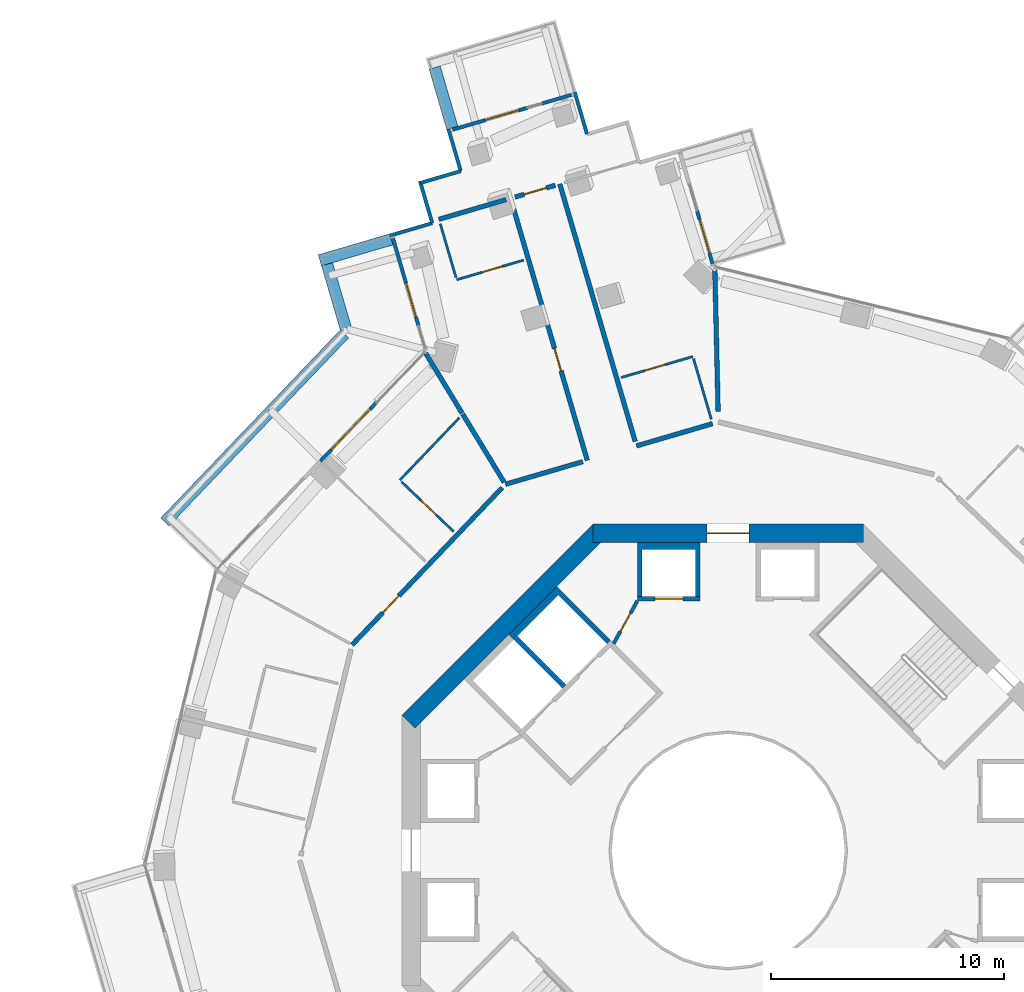
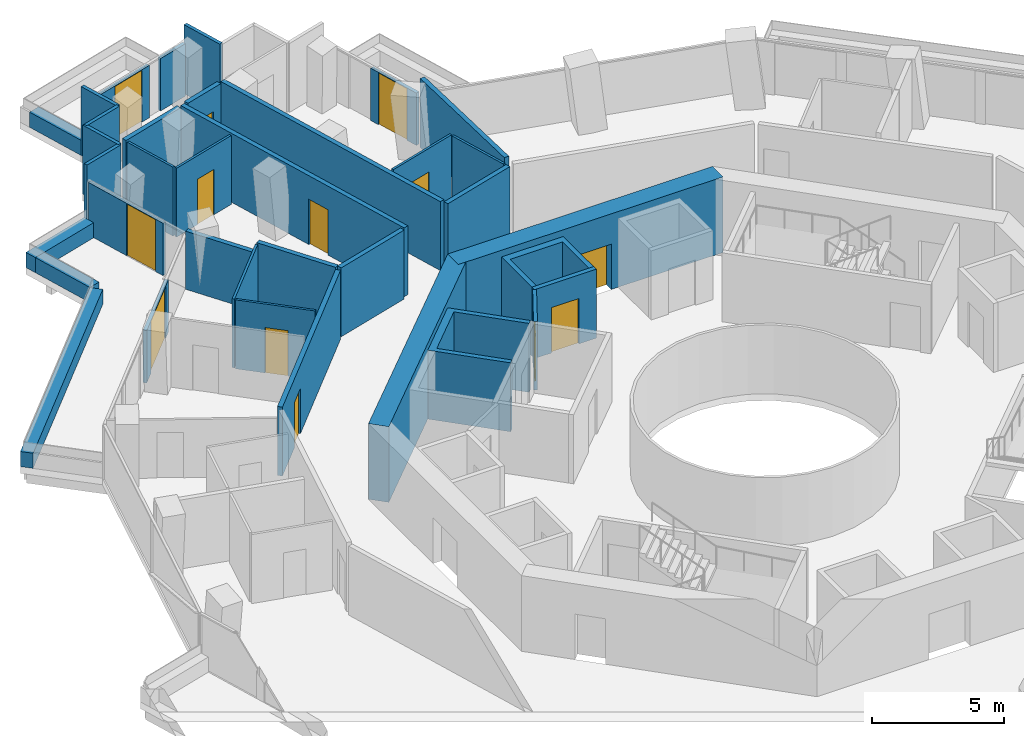
# One storey, part 21 of 25: 36 walls, 13 doors, 13 openings.
"""IFC4 building model written with IfcOpenShell, lengths in metres."""

from ifc_helpers import new_model, si_unit, direction, frame, frame_2d, origin, place, context, subcontext, project, spatial, polyline, rectangle, outline, extrude, material, layer, layer_set, type_object, element, fill, save


model = new_model("IFC4")

# Units and contexts
model_context = context("Model", 3, precision=1e-05, world=origin(), true_north=direction((0.0, 1.0)))
body_context = subcontext(model_context, "Body", "Model", "MODEL_VIEW")
ifc_project = project(units=[si_unit("LENGTHUNIT", "METRE"), si_unit("AREAUNIT", "SQUARE_METRE"), si_unit("VOLUMEUNIT", "CUBIC_METRE"), si_unit("PLANEANGLEUNIT", "RADIAN"), si_unit("MASSUNIT", "GRAM", prefix="KILO")], contexts=[model_context])

# Site, building, storey
site_placement = place(None, origin())
site = spatial("IfcSite", under=ifc_project, at=site_placement, CompositionType="ELEMENT")
building_placement = place(site_placement, origin())
building = spatial("IfcBuilding", under=site, at=building_placement, Name="Verdalira Terraces Hotel", CompositionType="ELEMENT")
storey_placement = place(building_placement, frame((0.0, 0.0, 100.0)))
storey = spatial("IfcBuildingStorey", under=building, at=storey_placement, Name="L23", CompositionType="ELEMENT", Elevation=100.0)

# Walls
ifc_material_1 = material(Name="Concrete C40", Category="concrete")
ifc_layer_1 = layer(ifc_material_1, 0.5)
ifc_layer_set_1 = layer_set([ifc_layer_1], Name="Balcony planter trough with tree")
wall_type_1 = type_object("IfcWallType", Name="Balcony planter trough with tree", PredefinedType="SOLIDWALL", material=ifc_layer_set_1)
wall_1_placement = place(storey_placement, frame((-12.59375, 33.580811, 0.0), z_axis=(0.0, 0.0, 1.0), x_axis=(0.2810349, -0.959697549, 0.0)))
element("IfcWall", 1, at=wall_1_placement, inside=storey, type_object=wall_type_1, Name="Balcony planter", PredefinedType="SOLIDWALL", context=body_context, shape_type="SweptSolid", body=[
    extrude(rectangle(XDim=2.699219, YDim=0.5, at=frame_2d((1.349609, 0.0))), origin(), (0.0, 0.0, 1.0), 0.699951),
])
wall_2_placement = place(storey_placement, frame((-14.448975, 26.212402, 0.0), z_axis=(0.0, 0.0, 1.0), x_axis=(-0.959706288, -0.281005054, 0.0)))
element("IfcWall", 2, at=wall_2_placement, inside=storey, type_object=wall_type_1, Name="Balcony planter", PredefinedType="SOLIDWALL", context=body_context, shape_type="SweptSolid", body=[
    extrude(rectangle(XDim=3.198975, YDim=0.5, at=frame_2d((1.599609, 0.0))), origin(), (0.0, 0.0, 1.0), 0.699951),
])
wall_3_placement = place(storey_placement, frame((-17.208984, 25.143799, 0.0), z_axis=(0.0, 0.0, 1.0), x_axis=(0.281038715, -0.959696432, 0.0)))
element("IfcWall", 3, at=wall_3_placement, inside=storey, type_object=wall_type_1, Name="Balcony planter", PredefinedType="SOLIDWALL", context=body_context, shape_type="SweptSolid", body=[
    extrude(rectangle(XDim=2.860596, YDim=0.5, at=frame_2d((1.430176, 0.0))), origin(), (0.0, 0.0, 1.0), 0.699951),
])
wall_4_placement = place(storey_placement, frame((-16.464111, 22.155518, 0.0), z_axis=(0.0, 0.0, 1.0), x_axis=(-0.690643379, -0.723195495, 0.0)))
element("IfcWall", 4, at=wall_4_placement, inside=storey, type_object=wall_type_1, Name="Balcony planter", PredefinedType="SOLIDWALL", context=body_context, shape_type="SweptSolid", body=[
    extrude(rectangle(XDim=11.152588, YDim=0.5, at=frame_2d((5.576172, 0.0))), origin(), (0.0, 0.0, 1.0), 0.699951),
])

# Wall, opening, door
ifc_material_2 = material(Name="Moisture-resistant gypsum board partition")
ifc_layer_2 = layer(ifc_material_2, 0.10009765625)
ifc_layer_set_2 = layer_set([ifc_layer_2], Name="Bathroom partition 100 mm")
wall_type_2 = type_object("IfcWallType", Name="Bathroom partition 100 mm", PredefinedType="PARTITIONING", material=ifc_layer_set_2)
wall_5_placement = place(storey_placement, frame((-14.015137, 15.815186, 0.0), z_axis=(0.0, 0.0, 1.0), x_axis=(0.723221432, -0.690616218, 0.0)))
wall_5 = element("IfcWall", 5, at=wall_5_placement, inside=storey, type_object=wall_type_2, Name="Bathroom partition", PredefinedType="PARTITIONING", context=body_context, shape_type="SweptSolid", body=[
    extrude(rectangle(XDim=3.099854, YDim=0.100098, at=frame_2d((1.549805, 0.0))), origin(), (0.0, 0.0, 1.0), 3.189941),
])
opening_1_placement = place(wall_5_placement, frame((1.149902, 0.0, 0.0)))
opening_1 = element("IfcOpeningElement", 6, at=opening_1_placement, cuts=wall_5, Name="Opening L23-109", PredefinedType="OPENING", context=body_context, shape_type="SweptSolid", body=[
    extrude(rectangle(XDim=0.899902, YDim=2.100098, at=frame_2d((0.449951, 1.050049))), frame((0.0, 0.060059, 0.0), z_axis=(0.0, -1.0, 0.0), x_axis=(1.0, 0.0, 0.0)), (0.0, 0.0, 1.0), 0.120117),
])
ifc_material_3 = material(Name="Timber door", Category="wood")
door_type_1 = type_object("IfcDoorType", Name="Bathroom door 900 x 2100", OperationType="NOTDEFINED", PredefinedType="DOOR", material=ifc_material_3)
door_1_placement = place(opening_1_placement, origin())
door_1 = element("IfcDoor", 7, at=door_1_placement, inside=storey, type_object=door_type_1, Name="Bathroom door 2303", OperationType="SINGLE_SWING_LEFT", OverallHeight=2.10009765625, OverallWidth=0.89990234375, PredefinedType="DOOR", context=body_context, shape_type="SweptSolid", body=[
    extrude(rectangle(XDim=0.899902, YDim=2.100098, at=frame_2d((0.449951, 1.050049))), frame((0.0, 0.024902, 0.0), z_axis=(0.0, -1.0, 0.0), x_axis=(1.0, 0.0, 0.0)), (0.0, 0.0, 1.0), 0.050049),
])
fill(opening_1, door_1)

# Walls
wall_6_placement = place(storey_placement, frame((-11.529297, 18.562988, 0.0), z_axis=(0.0, 0.0, 1.0), x_axis=(-0.690638766, -0.723199899, 0.0)))
element("IfcWall", 8, at=wall_6_placement, inside=storey, type_object=wall_type_2, Name="Bathroom partition", PredefinedType="PARTITIONING", context=body_context, shape_type="SweptSolid", body=[
    extrude(rectangle(XDim=3.703857, YDim=0.100098, at=frame_2d((1.852051, 0.0))), origin(), (0.0, 0.0, 1.0), 3.189941),
])
wall_7_placement = place(storey_placement, frame((-11.67627, 24.575684, 0.0), z_axis=(0.0, 0.0, 1.0), x_axis=(-0.280976457, 0.959714661, 0.0)))
element("IfcWall", 9, at=wall_7_placement, inside=storey, type_object=wall_type_2, Name="Bathroom partition", PredefinedType="PARTITIONING", context=body_context, shape_type="SweptSolid", body=[
    extrude(rectangle(XDim=2.399902, YDim=0.100098, at=frame_2d((1.199951, 0.0))), origin(), (0.0, 0.0, 1.0), 3.189941),
])

# Wall, opening, door
wall_8_placement = place(storey_placement, frame((-11.648193, 24.479736, 0.0), z_axis=(0.0, 0.0, 1.0), x_axis=(0.959706901, 0.281002962, 0.0)))
wall_8 = element("IfcWall", 10, at=wall_8_placement, inside=storey, type_object=wall_type_2, Name="Bathroom partition", PredefinedType="PARTITIONING", context=body_context, shape_type="SweptSolid", body=[
    extrude(rectangle(XDim=3.0, YDim=0.100098, at=frame_2d((1.5, 0.0))), origin(), (0.0, 0.0, 1.0), 3.189941),
])
opening_2_placement = place(wall_8_placement, frame((1.149902, 0.0, 0.0)))
opening_2 = element("IfcOpeningElement", 11, at=opening_2_placement, cuts=wall_8, Name="Opening L23-105", PredefinedType="OPENING", context=body_context, shape_type="SweptSolid", body=[
    extrude(rectangle(XDim=0.899902, YDim=2.100098, at=frame_2d((0.449951, 1.050049))), frame((0.0, 0.060059, 0.0), z_axis=(0.0, -1.0, 0.0), x_axis=(1.0, 0.0, 0.0)), (0.0, 0.0, 1.0), 0.120117),
])
door_2_placement = place(opening_2_placement, origin())
door_2 = element("IfcDoor", 12, at=door_2_placement, inside=storey, type_object=door_type_1, Name="Bathroom door 2302", OperationType="SINGLE_SWING_LEFT", OverallHeight=2.10009765625, OverallWidth=0.89990234375, PredefinedType="DOOR", context=body_context, shape_type="SweptSolid", body=[
    extrude(rectangle(XDim=0.899902, YDim=2.100098, at=frame_2d((0.449951, 1.050049))), frame((0.0, 0.024902, 0.0), z_axis=(0.0, -1.0, 0.0), x_axis=(1.0, 0.0, 0.0)), (0.0, 0.0, 1.0), 0.050049),
])
fill(opening_2, door_2)

wall_9_placement = place(storey_placement, frame((-1.514404, 21.186279, 0.0), z_axis=(0.0, 0.0, 1.0), x_axis=(-0.959709811, -0.280993023, 0.0)))
wall_9 = element("IfcWall", 13, at=wall_9_placement, inside=storey, type_object=wall_type_2, Name="Bathroom partition", PredefinedType="PARTITIONING", context=body_context, shape_type="SweptSolid", body=[
    extrude(rectangle(XDim=3.199951, YDim=0.100098, at=frame_2d((1.600098, 0.0))), origin(), (0.0, 0.0, 1.0), 3.189941),
])
opening_3_placement = place(wall_9_placement, frame((1.25, 0.0, 0.0)))
opening_3 = element("IfcOpeningElement", 14, at=opening_3_placement, cuts=wall_9, Name="Opening L23-103", PredefinedType="OPENING", context=body_context, shape_type="SweptSolid", body=[
    extrude(rectangle(XDim=0.899902, YDim=2.100098, at=frame_2d((0.449951, 1.050049))), frame((0.0, 0.060059, 0.0), z_axis=(0.0, -1.0, 0.0), x_axis=(1.0, 0.0, 0.0)), (0.0, 0.0, 1.0), 0.120117),
])
door_3_placement = place(opening_3_placement, origin())
door_3 = element("IfcDoor", 15, at=door_3_placement, inside=storey, type_object=door_type_1, Name="Bathroom door 2301", OperationType="SINGLE_SWING_LEFT", OverallHeight=2.10009765625, OverallWidth=0.89990234375, PredefinedType="DOOR", context=body_context, shape_type="SweptSolid", body=[
    extrude(rectangle(XDim=0.899902, YDim=2.100098, at=frame_2d((0.449951, 1.050049))), frame((0.0, 0.024902, 0.0), z_axis=(0.0, -1.0, 0.0), x_axis=(1.0, 0.0, 0.0)), (0.0, 0.0, 1.0), 0.050049),
])
fill(opening_3, door_3)

# Walls
wall_10_placement = place(storey_placement, frame((-0.727539, 18.499268, 0.0), z_axis=(0.0, 0.0, 1.0), x_axis=(-0.28102063, 0.959701727, 0.0)))
element("IfcWall", 16, at=wall_10_placement, inside=storey, type_object=wall_type_2, Name="Bathroom partition", PredefinedType="PARTITIONING", context=body_context, shape_type="SweptSolid", body=[
    extrude(rectangle(XDim=2.700195, YDim=0.100098, at=frame_2d((1.350098, 0.0))), origin(), (0.0, 0.0, 1.0), 3.189941),
])
ifc_material_4 = material(Name="Concrete C50", Category="concrete")
ifc_layer_3 = layer(ifc_material_4, 0.199951171875)
ifc_layer_set_3 = layer_set([ifc_layer_3], Name="Core RC wall 200 C50")
wall_type_3 = type_object("IfcWallType", Name="Core RC wall 200 C50", PredefinedType="SOLIDWALL", material=ifc_layer_set_3)
wall_11_placement = place(storey_placement, origin())
element("IfcWall", 17, at=wall_11_placement, inside=storey, type_object=wall_type_3, Name="L23 shaft wall N2", PredefinedType="SOLIDWALL", context=body_context, shape_type="SweptSolid", body=[
    extrude(outline(polyline([(-3.899902, 10.899902), (-3.899902, 13.199951), (-1.199951, 13.199951), (-1.199951, 10.899902), (-1.399902, 10.899902), (-1.399902, 12.899902), (-3.699951, 12.899902), (-3.699951, 10.899902), (-3.899902, 10.899902)])), origin(), (0.0, 0.0, 1.0), 3.189941),
])

# Wall, opening, door
wall_12_placement = place(storey_placement, frame((-1.199951, 10.800049, 0.0), z_axis=(0.0, 0.0, 1.0), x_axis=(-1.0, 0.0, 0.0)))
wall_12 = element("IfcWall", 18, at=wall_12_placement, inside=storey, type_object=wall_type_3, Name="L23 shaft front wall N2", PredefinedType="SOLIDWALL", context=body_context, shape_type="SweptSolid", body=[
    extrude(rectangle(XDim=2.699951, YDim=0.199951, at=frame_2d((1.350098, 0.0))), origin(), (0.0, 0.0, 1.0), 3.189941),
])
opening_4_placement = place(wall_12_placement, frame((0.75, 0.0, 0.0)))
opening_4 = element("IfcOpeningElement", 19, at=opening_4_placement, cuts=wall_12, Name="Opening LD-L23-804", PredefinedType="OPENING", context=body_context, shape_type="SweptSolid", body=[
    extrude(rectangle(XDim=1.199951, YDim=2.100098, at=frame_2d((0.600098, 1.050049))), frame((0.0, 0.109863, 0.0), z_axis=(0.0, -1.0, 0.0), x_axis=(1.0, 0.0, 0.0)), (0.0, 0.0, 1.0), 0.219971),
])
ifc_material_5 = material(Name="Stainless steel", Category="steel")
door_type_2 = type_object("IfcDoorType", Name="Landing door 1200 x 2100", OperationType="NOTDEFINED", PredefinedType="DOOR", material=ifc_material_5)
door_4_placement = place(opening_4_placement, origin())
door_4 = element("IfcDoor", 20, at=door_4_placement, inside=storey, type_object=door_type_2, Name="Lift landing door LR4 L23", OperationType="DOUBLE_DOOR_SLIDING", OverallHeight=2.10009765625, OverallWidth=1.199951171875, PredefinedType="DOOR", context=body_context, shape_type="SweptSolid", body=[
    extrude(rectangle(XDim=1.199951, YDim=2.100098, at=frame_2d((0.600098, 1.050049))), frame((0.0, 0.024902, 0.0), z_axis=(0.0, -1.0, 0.0), x_axis=(1.0, 0.0, 0.0)), (0.0, 0.0, 1.0), 0.050049),
])
fill(opening_4, door_4)

# Wall
wall_13_placement = place(storey_placement, origin())
element("IfcWall", 21, at=wall_13_placement, inside=storey, type_object=wall_type_3, Name="L23 shaft wall F1", PredefinedType="SOLIDWALL", context=body_context, shape_type="SweptSolid", body=[
    extrude(outline(polyline([(-9.404541, 9.263184), (-7.354004, 11.313721), (-5.055908, 9.015625), (-5.197266, 8.874268), (-7.283203, 10.960205), (-9.051025, 9.192383), (-6.965088, 7.106445), (-7.106445, 6.965088), (-9.404541, 9.263184)])), origin(), (0.0, 0.0, 1.0), 3.189941),
])

# Wall, opening, door
ifc_material_6 = material(Name="Gypsum board partition")
ifc_layer_4 = layer(ifc_material_6, 0.14990234375)
ifc_layer_set_4 = layer_set([ifc_layer_4], Name="Core partition 150 mm")
wall_type_4 = type_object("IfcWallType", Name="Core partition 150 mm", PredefinedType="PARTITIONING", material=ifc_layer_set_4)
wall_14_placement = place(storey_placement, frame((-3.899902, 10.699951, 0.0), z_axis=(0.0, 0.0, 1.0), x_axis=(-0.485692555, -0.874129705, 0.0)))
wall_14 = element("IfcWall", 22, at=wall_14_placement, inside=storey, type_object=wall_type_4, Name="Room partition L23", PredefinedType="PARTITIONING", context=body_context, shape_type="SweptSolid", body=[
    extrude(rectangle(XDim=2.088623, YDim=0.149902, at=frame_2d((1.044434, 0.0))), origin(), (0.0, 0.0, 1.0), 3.189941),
])
opening_5_placement = place(wall_14_placement, frame((0.594238, 0.0, 0.0)))
opening_5 = element("IfcOpeningElement", 23, at=opening_5_placement, cuts=wall_14, Name="Opening L23-820", PredefinedType="OPENING", context=body_context, shape_type="SweptSolid", body=[
    extrude(rectangle(XDim=0.899902, YDim=2.100098, at=frame_2d((0.449951, 1.050049))), frame((0.0, 0.084961, 0.0), z_axis=(0.0, -1.0, 0.0), x_axis=(1.0, 0.0, 0.0)), (0.0, 0.0, 1.0), 0.169922),
])
ifc_material_7 = material(Name="Steel fire door", Category="steel")
door_type_3 = type_object("IfcDoorType", Name="Core room door 900 x 2100", OperationType="NOTDEFINED", PredefinedType="DOOR", material=ifc_material_7)
door_5_placement = place(opening_5_placement, origin())
door_5 = element("IfcDoor", 24, at=door_5_placement, inside=storey, type_object=door_type_3, Name="Door L23 room2", OperationType="SINGLE_SWING_LEFT", OverallHeight=2.10009765625, OverallWidth=0.89990234375, PredefinedType="DOOR", context=body_context, shape_type="SweptSolid", body=[
    extrude(rectangle(XDim=0.899902, YDim=2.100098, at=frame_2d((0.449951, 1.050049))), frame((0.0, 0.024902, 0.0), z_axis=(0.0, -1.0, 0.0), x_axis=(1.0, 0.0, 0.0)), (0.0, 0.0, 1.0), 0.050049),
])
fill(opening_5, door_5)

ifc_material_8 = material(Name="Concrete C70", Category="concrete")
ifc_layer_5 = layer(ifc_material_8, 0.800048828125)
ifc_layer_set_5 = layer_set([ifc_layer_5], Name="Core wall 800 C70")
wall_type_5 = type_object("IfcWallType", Name="Core wall 800 C70", PredefinedType="SHEAR", material=ifc_layer_set_5)
wall_15_placement = place(storey_placement, frame((5.799072, 13.600098, 0.0), z_axis=(0.0, 0.0, 1.0), x_axis=(-1.0, 0.0, 0.0)))
wall_15 = element("IfcWall", 25, at=wall_15_placement, inside=storey, type_object=wall_type_5, Name="Core wall CW-L23-3", PredefinedType="SHEAR", context=body_context, shape_type="SweptSolid", body=[
    extrude(rectangle(XDim=11.598145, YDim=0.800049, at=frame_2d((5.799072, 0.0))), origin(), (0.0, 0.0, 1.0), 3.5),
])
opening_6_placement = place(wall_15_placement, frame((4.898926, 0.0, 0.0)))
opening_6 = element("IfcOpeningElement", 26, at=opening_6_placement, cuts=wall_15, Name="Opening L23-813", PredefinedType="OPENING", context=body_context, shape_type="SweptSolid", body=[
    extrude(rectangle(XDim=1.800049, YDim=2.100098, at=frame_2d((0.899902, 1.050049))), frame((0.0, 0.409912, 0.0), z_axis=(0.0, -1.0, 0.0), x_axis=(1.0, 0.0, 0.0)), (0.0, 0.0, 1.0), 0.820068),
])
ifc_material_9 = material(Name="Steel fire door", Category="steel")
door_type_4 = type_object("IfcDoorType", Name="Core entry door pair 1800 x 2100", OperationType="NOTDEFINED", PredefinedType="DOOR", material=ifc_material_9)
door_6_placement = place(opening_6_placement, origin())
door_6 = element("IfcDoor", 27, at=door_6_placement, inside=storey, type_object=door_type_4, Name="Core entry door L23 2", OperationType="DOUBLE_DOOR_SINGLE_SWING", OverallHeight=2.10009765625, OverallWidth=1.800048828125, PredefinedType="DOOR", context=body_context, shape_type="SweptSolid", body=[
    extrude(rectangle(XDim=1.800049, YDim=2.100098, at=frame_2d((0.899902, 1.050049))), frame((0.0, 0.024902, 0.0), z_axis=(0.0, -1.0, 0.0), x_axis=(1.0, 0.0, 0.0)), (0.0, 0.0, 1.0), 0.050049),
])
fill(opening_6, door_6)

# Walls
wall_16_placement = place(storey_placement, frame((-5.516113, 13.717285, 0.0), z_axis=(0.0, 0.0, 1.0), x_axis=(-0.707106781, -0.707106781, 0.0)))
element("IfcWall", 28, at=wall_16_placement, inside=storey, type_object=wall_type_5, Name="Core wall CW-L23-4", PredefinedType="SHEAR", context=body_context, shape_type="SweptSolid", body=[
    extrude(rectangle(XDim=11.598145, YDim=0.800049, at=frame_2d((5.799072, 0.0))), origin(), (0.0, 0.0, 1.0), 3.5),
])
ifc_material_10 = material(Name="Fire-rated gypsum board wall")
ifc_layer_6 = layer(ifc_material_10, 0.199951171875)
ifc_layer_set_6 = layer_set([ifc_layer_6], Name="Demising wall 200 mm")
wall_type_6 = type_object("IfcWallType", Name="Demising wall 200 mm", PredefinedType="SOLIDWALL", material=ifc_layer_set_6)
wall_17_placement = place(storey_placement, frame((-9.525879, 27.914551, 0.0), z_axis=(0.0, 0.0, 1.0), x_axis=(-0.959693574, -0.281048474, 0.0)))
element("IfcWall", 29, at=wall_17_placement, inside=storey, type_object=wall_type_6, Name="Demising wall", PredefinedType="SOLIDWALL", context=body_context, shape_type="SweptSolid", body=[
    extrude(rectangle(XDim=3.003906, YDim=0.199951, at=frame_2d((1.501953, 0.0))), origin(), (0.0, 0.0, 1.0), 3.189941),
])
wall_18_placement = place(storey_placement, frame((-9.610596, 15.794189, 0.0), z_axis=(0.0, 0.0, 1.0), x_axis=(-0.519810992, 0.854281296, 0.0)))
element("IfcWall", 30, at=wall_18_placement, inside=storey, type_object=wall_type_6, Name="Demising wall", PredefinedType="SOLIDWALL", context=body_context, shape_type="SweptSolid", body=[
    extrude(rectangle(XDim=3.418213, YDim=0.199951, at=frame_2d((1.708984, 0.0))), origin(), (0.0, 0.0, 1.0), 3.189941),
])
wall_19_placement = place(storey_placement, frame((-0.575195, 24.95752, 0.0), z_axis=(0.0, 0.0, 1.0), x_axis=(0.023051497, -0.999734279, 0.0)))
element("IfcWall", 31, at=wall_19_placement, inside=storey, type_object=wall_type_6, Name="Demising wall", PredefinedType="SOLIDWALL", context=body_context, shape_type="SweptSolid", body=[
    extrude(rectangle(XDim=6.132324, YDim=0.199951, at=frame_2d((3.066162, 0.0))), origin(), (0.0, 0.0, 1.0), 3.189941),
])
ifc_material_11 = material(Name="Fire-rated gypsum board wall")
ifc_layer_7 = layer(ifc_material_11, 0.199951171875)
ifc_layer_set_7 = layer_set([ifc_layer_7], Name="Demising wall 200 mm to beam soffit")
wall_type_7 = type_object("IfcWallType", Name="Demising wall 200 mm to beam soffit", PredefinedType="SOLIDWALL", material=ifc_layer_set_7)
wall_20_placement = place(storey_placement, frame((-11.411377, 18.753662, 0.0), z_axis=(0.0, 0.0, 1.0), x_axis=(-0.51983892, 0.854264302, 0.0)))
element("IfcWall", 32, at=wall_20_placement, inside=storey, type_object=wall_type_7, Name="Demising wall", PredefinedType="SOLIDWALL", context=body_context, shape_type="SweptSolid", body=[
    extrude(rectangle(XDim=3.011475, YDim=0.199951, at=frame_2d((1.505859, 0.0))), origin(), (0.0, 0.0, 1.0), 2.689941),
])

# Wall, opening, door
ifc_material_12 = material(Name="Fire-rated gypsum board wall")
ifc_layer_8 = layer(ifc_material_12, 0.199951171875)
ifc_layer_set_8 = layer_set([ifc_layer_8], Name="Guest corridor wall 200 mm")
wall_type_8 = type_object("IfcWallType", Name="Guest corridor wall 200 mm", PredefinedType="SOLIDWALL", material=ifc_layer_set_8)
wall_21_placement = place(storey_placement, frame((-16.12915, 8.823242, 0.0), z_axis=(0.0, 0.0, 1.0), x_axis=(0.69063279, 0.723205606, 0.0)))
wall_21 = element("IfcWall", 33, at=wall_21_placement, inside=storey, type_object=wall_type_8, Name="Guest corridor wall", PredefinedType="SOLIDWALL", context=body_context, shape_type="SweptSolid", body=[
    extrude(rectangle(XDim=9.31665, YDim=0.199951, at=frame_2d((4.658203, 0.0))), origin(), (0.0, 0.0, 1.0), 3.189941),
])
opening_7_placement = place(wall_21_placement, frame((1.899902, 0.0, 0.0)))
opening_7 = element("IfcOpeningElement", 34, at=opening_7_placement, cuts=wall_21, Name="Opening L23-106", PredefinedType="OPENING", context=body_context, shape_type="SweptSolid", body=[
    extrude(rectangle(XDim=1.0, YDim=2.100098, at=frame_2d((0.5, 1.050049))), frame((0.0, 0.109863, 0.0), z_axis=(0.0, -1.0, 0.0), x_axis=(1.0, 0.0, 0.0)), (0.0, 0.0, 1.0), 0.219971),
])
ifc_material_13 = material(Name="Timber fire door", Category="wood")
door_type_5 = type_object("IfcDoorType", Name="Guest entry door 1000 x 2100", OperationType="NOTDEFINED", PredefinedType="DOOR", material=ifc_material_13)
door_7_placement = place(opening_7_placement, origin())
door_7 = element("IfcDoor", 35, at=door_7_placement, inside=storey, type_object=door_type_5, Name="Guest entry door 2303", OperationType="SINGLE_SWING_LEFT", OverallHeight=2.10009765625, OverallWidth=1.0, PredefinedType="DOOR", context=body_context, shape_type="SweptSolid", body=[
    extrude(rectangle(XDim=1.0, YDim=2.100098, at=frame_2d((0.5, 1.050049))), frame((0.0, 0.024902, 0.0), z_axis=(0.0, -1.0, 0.0), x_axis=(1.0, 0.0, 0.0)), (0.0, 0.0, 1.0), 0.050049),
])
fill(opening_7, door_7)

wall_22_placement = place(storey_placement, frame((-9.145752, 28.025879, 0.0), z_axis=(0.0, 0.0, 1.0), x_axis=(0.95974008, 0.280889621, 0.0)))
wall_22 = element("IfcWall", 36, at=wall_22_placement, inside=storey, type_object=wall_type_8, Name="Guest corridor wall", PredefinedType="SOLIDWALL", context=body_context, shape_type="SweptSolid", body=[
    extrude(rectangle(XDim=1.801758, YDim=0.199951, at=frame_2d((0.900879, 0.0))), origin(), (0.0, 0.0, 1.0), 3.189941),
])
opening_8_placement = place(wall_22_placement, frame((0.399902, 0.0, 0.0)))
opening_8 = element("IfcOpeningElement", 37, at=opening_8_placement, cuts=wall_22, Name="Opening L23-101", PredefinedType="OPENING", context=body_context, shape_type="SweptSolid", body=[
    extrude(rectangle(XDim=1.0, YDim=2.100098, at=frame_2d((0.5, 1.050049))), frame((0.0, 0.109863, 0.0), z_axis=(0.0, -1.0, 0.0), x_axis=(1.0, 0.0, 0.0)), (0.0, 0.0, 1.0), 0.219971),
])
door_8_placement = place(opening_8_placement, origin())
door_8 = element("IfcDoor", 38, at=door_8_placement, inside=storey, type_object=door_type_5, Name="Guest entry door 2301", OperationType="SINGLE_SWING_LEFT", OverallHeight=2.10009765625, OverallWidth=1.0, PredefinedType="DOOR", context=body_context, shape_type="SweptSolid", body=[
    extrude(rectangle(XDim=1.0, YDim=2.100098, at=frame_2d((0.5, 1.050049))), frame((0.0, 0.024902, 0.0), z_axis=(0.0, -1.0, 0.0), x_axis=(1.0, 0.0, 0.0)), (0.0, 0.0, 1.0), 0.050049),
])
fill(opening_8, door_8)

# Wall
wall_23_placement = place(storey_placement, frame((-6.237793, 16.67749, 0.0), z_axis=(0.0, 0.0, 1.0), x_axis=(-0.959713265, -0.280981227, 0.0)))
element("IfcWall", 39, at=wall_23_placement, inside=storey, type_object=wall_type_8, Name="Guest corridor wall", PredefinedType="SOLIDWALL", context=body_context, shape_type="SweptSolid", body=[
    extrude(rectangle(XDim=3.458252, YDim=0.199951, at=frame_2d((1.729004, 0.0))), origin(), (0.0, 0.0, 1.0), 3.189941),
])

# Wall, opening, door
wall_24_placement = place(storey_placement, frame((-6.045898, 16.733643, 0.0), z_axis=(0.0, 0.0, 1.0), x_axis=(-0.280980732, 0.959713409, 0.0)))
wall_24 = element("IfcWall", 40, at=wall_24_placement, inside=storey, type_object=wall_type_8, Name="Guest corridor wall", PredefinedType="SOLIDWALL", context=body_context, shape_type="SweptSolid", body=[
    extrude(rectangle(XDim=11.708252, YDim=0.199951, at=frame_2d((5.854004, 0.0))), origin(), (0.0, 0.0, 1.0), 3.189941),
])
opening_9_placement = place(wall_24_placement, frame((4.0, 0.0, 0.0)))
opening_9 = element("IfcOpeningElement", 41, at=opening_9_placement, cuts=wall_24, Name="Opening L23-104", PredefinedType="OPENING", context=body_context, shape_type="SweptSolid", body=[
    extrude(rectangle(XDim=1.0, YDim=2.100098, at=frame_2d((0.5, 1.050049))), frame((0.0, 0.109863, 0.0), z_axis=(0.0, -1.0, 0.0), x_axis=(1.0, 0.0, 0.0)), (0.0, 0.0, 1.0), 0.219971),
])
door_9_placement = place(opening_9_placement, origin())
door_9 = element("IfcDoor", 42, at=door_9_placement, inside=storey, type_object=door_type_5, Name="Guest entry door 2302", OperationType="SINGLE_SWING_LEFT", OverallHeight=2.10009765625, OverallWidth=1.0, PredefinedType="DOOR", context=body_context, shape_type="SweptSolid", body=[
    extrude(rectangle(XDim=1.0, YDim=2.100098, at=frame_2d((0.5, 1.050049))), frame((0.0, 0.024902, 0.0), z_axis=(0.0, -1.0, 0.0), x_axis=(1.0, 0.0, 0.0)), (0.0, 0.0, 1.0), 0.050049),
])
fill(opening_9, door_9)

# Walls
wall_25_placement = place(storey_placement, frame((-3.990479, 17.543701, 0.0), z_axis=(0.0, 0.0, 1.0), x_axis=(-0.281022188, 0.959701271, 0.0)))
element("IfcWall", 43, at=wall_25_placement, inside=storey, type_object=wall_type_8, Name="Guest corridor wall", PredefinedType="SOLIDWALL", context=body_context, shape_type="SweptSolid", body=[
    extrude(rectangle(XDim=11.508545, YDim=0.199951, at=frame_2d((5.754395, 0.0))), origin(), (0.0, 0.0, 1.0), 3.189941),
])
wall_26_placement = place(storey_placement, frame((-0.671387, 18.307373, 0.0), z_axis=(0.0, 0.0, 1.0), x_axis=(-0.959693013, -0.281050389, 0.0)))
element("IfcWall", 44, at=wall_26_placement, inside=storey, type_object=wall_type_8, Name="Guest corridor wall", PredefinedType="SOLIDWALL", context=body_context, shape_type="SweptSolid", body=[
    extrude(rectangle(XDim=3.399902, YDim=0.199951, at=frame_2d((1.699951, 0.0))), origin(), (0.0, 0.0, 1.0), 3.189941),
])
ifc_material_14 = material(Name="Terracotta cladding", Category="masonry")
ifc_layer_9 = layer(ifc_material_14, 0.14990234375)
ifc_layer_set_9 = layer_set([ifc_layer_9], Name="Terracotta clad wall 150")
wall_type_9 = type_object("IfcWallType", Name="Terracotta clad wall 150", PredefinedType="SOLIDWALL", material=ifc_layer_set_9)
for number, where, z_axis, x_axis, name in (
    (45, (-6.053711, 30.728516, 0.0), (0.0, 0.0, 1.0), (-0.280974804, 0.959715145, 0.0), "Terracotta cladding wall"),
    (46, (-12.00293, 30.94043, 0.0), (0.0, 0.0, 1.0), (0.280974804, -0.959715145, 0.0), "Terracotta cladding wall"),
):
    element("IfcWall", number, at=place(storey_placement, frame(where, z_axis=z_axis, x_axis=x_axis)), inside=storey, type_object=wall_type_9, Name=name, PredefinedType="SOLIDWALL", context=body_context, shape_type="SweptSolid", body=[
        extrude(rectangle(XDim=1.875, YDim=0.149902, at=frame_2d((0.9375, 0.0))), origin(), (0.0, 0.0, 1.0), 3.189941),
    ])
wall_27_placement = place(storey_placement, frame((-11.476074, 29.140869, 0.0), z_axis=(0.0, 0.0, 1.0), x_axis=(-0.959701727, -0.28102063, 0.0)))
element("IfcWall", 47, at=wall_27_placement, inside=storey, type_object=wall_type_9, Name="Terracotta cladding wall", PredefinedType="SOLIDWALL", context=body_context, shape_type="SweptSolid", body=[
    extrude(rectangle(XDim=1.800049, YDim=0.149902, at=frame_2d((0.899902, 0.0))), origin(), (0.0, 0.0, 1.0), 3.189941),
])
wall_28_placement = place(storey_placement, frame((-13.224609, 28.707031, 0.0), z_axis=(0.0, 0.0, 1.0), x_axis=(0.281009918, -0.959704864, 0.0)))
element("IfcWall", 48, at=wall_28_placement, inside=storey, type_object=wall_type_9, Name="Terracotta cladding wall", PredefinedType="SOLIDWALL", context=body_context, shape_type="SweptSolid", body=[
    extrude(rectangle(XDim=1.874756, YDim=0.149902, at=frame_2d((0.9375, 0.0))), origin(), (0.0, 0.0, 1.0), 3.189941),
])
wall_29_placement = place(storey_placement, frame((-12.697754, 26.907715, 0.0), z_axis=(0.0, 0.0, 1.0), x_axis=(-0.95966974, -0.281129846, 0.0)))
element("IfcWall", 49, at=wall_29_placement, inside=storey, type_object=wall_type_9, Name="Terracotta cladding wall", PredefinedType="SOLIDWALL", context=body_context, shape_type="SweptSolid", body=[
    extrude(rectangle(XDim=1.875, YDim=0.149902, at=frame_2d((0.9375, 0.0))), origin(), (0.0, 0.0, 1.0), 3.189941),
])
ifc_material_15 = material(Name="Terracotta cladding", Category="masonry")
ifc_layer_10 = layer(ifc_material_15, 0.14990234375)
ifc_layer_set_10 = layer_set([ifc_layer_10], Name="Terracotta column pier 150")
wall_type_10 = type_object("IfcWallType", Name="Terracotta column pier 150", PredefinedType="SOLIDWALL", material=ifc_layer_set_10)
wall_30_placement = place(storey_placement, frame((-6.708252, 32.412354, 0.0), z_axis=(0.0, 0.0, 1.0), x_axis=(-0.95973149, -0.280918968, 0.0)))
element("IfcWall", 50, at=wall_30_placement, inside=storey, type_object=wall_type_10, Name="Terracotta column pier", PredefinedType="SOLIDWALL", context=body_context, shape_type="SweptSolid", body=[
    extrude(rectangle(XDim=1.356689, YDim=0.149902, at=frame_2d((0.678223, 0.0))), origin(), (0.0, 0.0, 1.0), 2.425049),
])

# Wall, opening, door
ifc_material_16 = material(Name="Terracotta cladding", Category="masonry")
ifc_layer_11 = layer(ifc_material_16, 0.14990234375)
ifc_layer_set_11 = layer_set([ifc_layer_11], Name="Terracotta door pier 150")
wall_type_11 = type_object("IfcWallType", Name="Terracotta door pier 150", PredefinedType="SOLIDWALL", material=ifc_layer_set_11)
wall_31_placement = place(storey_placement, frame((-0.670166, 25.153564, 0.0), z_axis=(0.0, 0.0, 1.0), x_axis=(-0.281006451, 0.959705879, 0.0)))
wall_31 = element("IfcWall", 51, at=wall_31_placement, inside=storey, type_object=wall_type_11, Name="Terracotta door pier", PredefinedType="SOLIDWALL", context=body_context, shape_type="SweptSolid", body=[
    extrude(rectangle(XDim=2.393555, YDim=0.149902, at=frame_2d((1.196777, 0.0))), origin(), (0.0, 0.0, 1.0), 2.425049),
])
opening_10_placement = place(wall_31_placement, frame((0.493652, 0.0, 0.0)))
opening_10 = element("IfcOpeningElement", 52, at=opening_10_placement, cuts=wall_31, Name="Opening L23-B01", PredefinedType="OPENING", context=body_context, shape_type="SweptSolid", body=[
    extrude(rectangle(XDim=1.5, YDim=2.399902, at=frame_2d((0.75, 1.199951))), frame((0.0, 0.084961, 0.0), z_axis=(0.0, -1.0, 0.0), x_axis=(1.0, 0.0, 0.0)), (0.0, 0.0, 1.0), 0.169922),
])
ifc_material_17 = material(Name="Clear glass", Category="glass")
door_type_6 = type_object("IfcDoorType", Name="Balcony sliding door 1500x2400", OperationType="NOTDEFINED", PredefinedType="DOOR", material=ifc_material_17)
door_10_placement = place(opening_10_placement, origin())
door_10 = element("IfcDoor", 53, at=door_10_placement, inside=storey, type_object=door_type_6, Name="Balcony sliding door", OperationType="SLIDING_TO_LEFT", OverallHeight=2.39990234375, OverallWidth=1.5, PredefinedType="DOOR", context=body_context, shape_type="SweptSolid", body=[
    extrude(rectangle(XDim=1.5, YDim=2.399902, at=frame_2d((0.75, 1.199951))), frame((0.0, 0.024902, 0.0), z_axis=(0.0, -1.0, 0.0), x_axis=(1.0, 0.0, 0.0)), (0.0, 0.0, 1.0), 0.050049),
])
fill(opening_10, door_10)

wall_32_placement = place(storey_placement, frame((-8.598877, 31.858887, 0.0), z_axis=(0.0, 0.0, 1.0), x_axis=(-0.959701672, -0.281020819, 0.0)))
wall_32 = element("IfcWall", 54, at=wall_32_placement, inside=storey, type_object=wall_type_11, Name="Terracotta door pier", PredefinedType="SOLIDWALL", context=body_context, shape_type="SweptSolid", body=[
    extrude(rectangle(XDim=3.369873, YDim=0.149902, at=frame_2d((1.685059, 0.0))), origin(), (0.0, 0.0, 1.0), 2.425049),
])
opening_11_placement = place(wall_32_placement, frame((0.399902, 0.0, 0.0)))
opening_11 = element("IfcOpeningElement", 55, at=opening_11_placement, cuts=wall_32, Name="Opening L23-B02", PredefinedType="OPENING", context=body_context, shape_type="SweptSolid", body=[
    extrude(rectangle(XDim=1.5, YDim=2.399902, at=frame_2d((0.75, 1.199951))), frame((0.0, 0.084961, 0.0), z_axis=(0.0, -1.0, 0.0), x_axis=(1.0, 0.0, 0.0)), (0.0, 0.0, 1.0), 0.169922),
])
door_11_placement = place(opening_11_placement, origin())
door_11 = element("IfcDoor", 56, at=door_11_placement, inside=storey, type_object=door_type_6, Name="Balcony sliding door", OperationType="SLIDING_TO_RIGHT", OverallHeight=2.39990234375, OverallWidth=1.5, PredefinedType="DOOR", context=body_context, shape_type="SweptSolid", body=[
    extrude(rectangle(XDim=1.5, YDim=2.399902, at=frame_2d((0.75, 1.199951))), frame((0.0, 0.024902, 0.0), z_axis=(0.0, -1.0, 0.0), x_axis=(1.0, 0.0, 0.0)), (0.0, 0.0, 1.0), 0.050049),
])
fill(opening_11, door_11)

wall_33_placement = place(storey_placement, frame((-14.384521, 26.262695, 0.0), z_axis=(0.0, 0.0, 1.0), x_axis=(0.281020728, -0.959701699, 0.0)))
wall_33 = element("IfcWall", 57, at=wall_33_placement, inside=storey, type_object=wall_type_11, Name="Terracotta door pier", PredefinedType="SOLIDWALL", context=body_context, shape_type="SweptSolid", body=[
    extrude(rectangle(XDim=3.912109, YDim=0.149902, at=frame_2d((1.956055, 0.0))), origin(), (0.0, 0.0, 1.0), 2.425049),
])
opening_12_placement = place(wall_33_placement, frame((2.011963, 0.0, 0.0)))
opening_12 = element("IfcOpeningElement", 58, at=opening_12_placement, cuts=wall_33, Name="Opening L23-B03", PredefinedType="OPENING", context=body_context, shape_type="SweptSolid", body=[
    extrude(rectangle(XDim=1.5, YDim=2.399902, at=frame_2d((0.75, 1.199951))), frame((0.0, 0.084961, 0.0), z_axis=(0.0, -1.0, 0.0), x_axis=(1.0, 0.0, 0.0)), (0.0, 0.0, 1.0), 0.169922),
])
door_12_placement = place(opening_12_placement, origin())
door_12 = element("IfcDoor", 59, at=door_12_placement, inside=storey, type_object=door_type_6, Name="Balcony sliding door", OperationType="SLIDING_TO_LEFT", OverallHeight=2.39990234375, OverallWidth=1.5, PredefinedType="DOOR", context=body_context, shape_type="SweptSolid", body=[
    extrude(rectangle(XDim=1.5, YDim=2.399902, at=frame_2d((0.75, 1.199951))), frame((0.0, 0.024902, 0.0), z_axis=(0.0, -1.0, 0.0), x_axis=(1.0, 0.0, 0.0)), (0.0, 0.0, 1.0), 0.050049),
])
fill(opening_12, door_12)

wall_34_placement = place(storey_placement, frame((-15.0896, 19.214844, 0.0), z_axis=(0.0, 0.0, 1.0), x_axis=(-0.690619436, -0.723218359, 0.0)))
wall_34 = element("IfcWall", 60, at=wall_34_placement, inside=storey, type_object=wall_type_11, Name="Terracotta door pier", PredefinedType="SOLIDWALL", context=body_context, shape_type="SweptSolid", body=[
    extrude(rectangle(XDim=3.475098, YDim=0.149902, at=frame_2d((1.737549, 0.0))), origin(), (0.0, 0.0, 1.0), 2.425049),
])
opening_13_placement = place(wall_34_placement, frame((0.399902, 0.0, 0.0)))
opening_13 = element("IfcOpeningElement", 61, at=opening_13_placement, cuts=wall_34, Name="Opening L23-B04", PredefinedType="OPENING", context=body_context, shape_type="SweptSolid", body=[
    extrude(rectangle(XDim=2.399902, YDim=2.399902, at=frame_2d((1.199951, 1.199951))), frame((0.0, 0.084961, 0.0), z_axis=(0.0, -1.0, 0.0), x_axis=(1.0, 0.0, 0.0)), (0.0, 0.0, 1.0), 0.169922),
])
ifc_material_18 = material(Name="Clear glass", Category="glass")
door_type_7 = type_object("IfcDoorType", Name="Balcony sliding door 2400x2400", OperationType="NOTDEFINED", PredefinedType="DOOR", material=ifc_material_18)
door_13_placement = place(opening_13_placement, origin())
door_13 = element("IfcDoor", 62, at=door_13_placement, inside=storey, type_object=door_type_7, Name="Balcony sliding door", OperationType="SLIDING_TO_RIGHT", OverallHeight=2.39990234375, OverallWidth=2.39990234375, PredefinedType="DOOR", context=body_context, shape_type="SweptSolid", body=[
    extrude(rectangle(XDim=2.399902, YDim=2.399902, at=frame_2d((1.199951, 1.199951))), frame((0.0, 0.024902, 0.0), z_axis=(0.0, -1.0, 0.0), x_axis=(1.0, 0.0, 0.0)), (0.0, 0.0, 1.0), 0.050049),
])
fill(opening_13, door_13)

save(model, "model.ifc")
